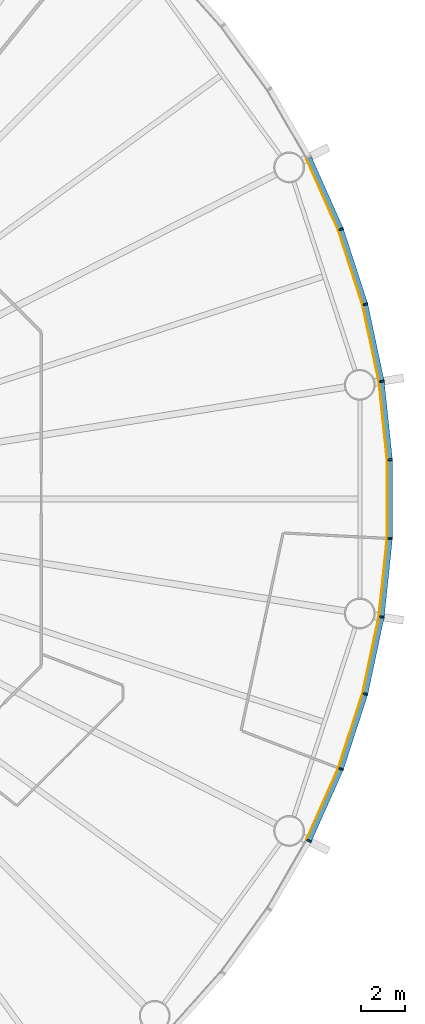
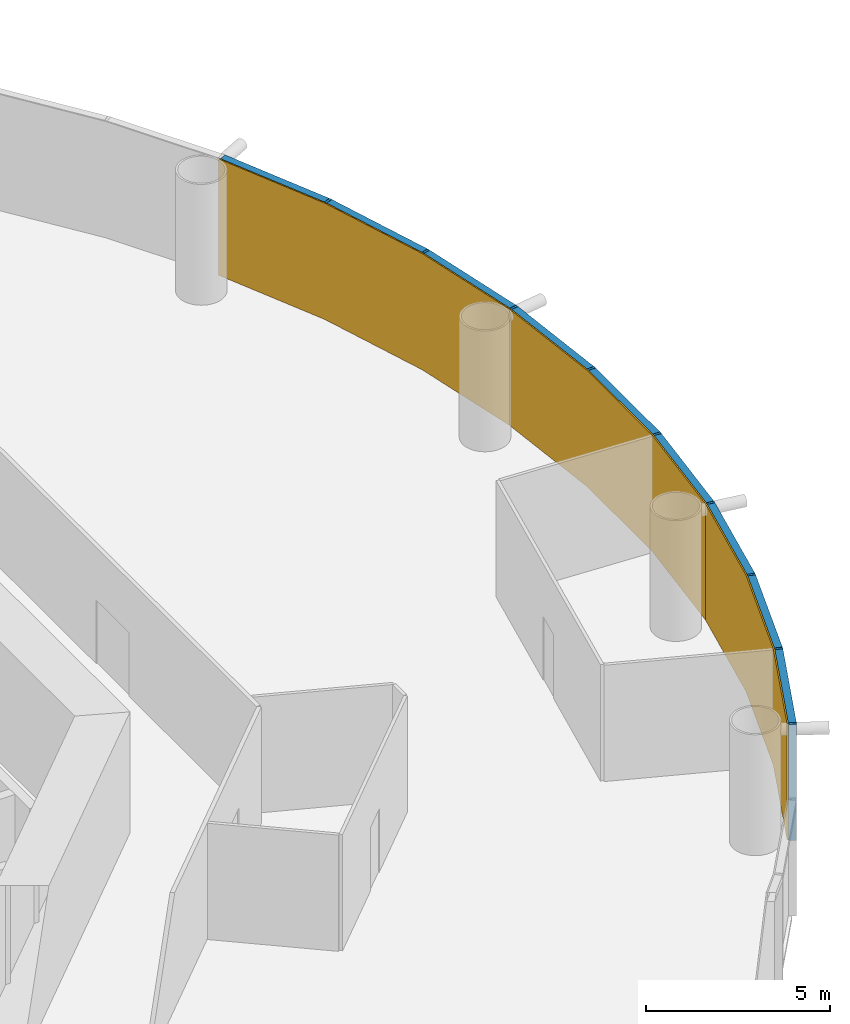
# One storey, part 11 of 13: 18 members, 3 curtain walls.
"""IFC4 building model written with IfcOpenShell, lengths in metres."""

import ifcopenshell
import ifcopenshell.guid

model = None  # the IFC model being written
_history = None  # IfcOwnerHistory: only IFC2X3 demands one
_inside = {}  # id of a spatial element -> (the spatial element, [elements in it])
_under = {}  # id of a project, library or spatial element -> (it, [spatial elements below it])
_declared = {}  # id of a project -> (the project, [libraries it declares])
_typed = {}  # id of a type object -> (the type object, [elements of that type])
_made_of = {}  # id of a material, layer set ... -> (it, [elements and type objects made of it])


def new_model(schema):
    """Start an empty IFC model of exactly this schema.

    Asked for "IFC4X3", IfcOpenShell would pick the latest addendum, in which some entities
    have other attributes; the version numbers below select the first issue.
    IFC2X3 requires an IfcOwnerHistory on every rooted entity: one is made here for all.
    """
    global model, _history
    if schema == "IFC4X3":
        model = ifcopenshell.file(schema_version=(4, 3, 0, 0))
    else:
        model = ifcopenshell.file(schema=schema)
    _inside.clear()
    _under.clear()
    _declared.clear()
    _typed.clear()
    _made_of.clear()
    _history = None
    if model.schema == "IFC2X3":
        org = make("IfcOrganization", Name="unknown")
        user = make(
            "IfcPersonAndOrganization",
            ThePerson=make("IfcPerson", FamilyName="unknown"),
            TheOrganization=org,
        )
        app = make(
            "IfcApplication",
            ApplicationDeveloper=org,
            Version="unknown",
            ApplicationFullName="unknown",
            ApplicationIdentifier="unknown",
        )
        _history = make(
            "IfcOwnerHistory",
            OwningUser=user,
            OwningApplication=app,
            ChangeAction="ADDED",
            CreationDate=0,
        )
    return model


def make(cls, **values):
    """One entity of the class cls with the attributes given. An attribute that is None is left unset."""
    return model.create_entity(
        cls, **{name: value for name, value in values.items() if value is not None}
    )


def rooted(cls, **values):
    """An entity with a GlobalId (a new one), such as an element, a storey or a relation."""
    return make(cls, GlobalId=ifcopenshell.guid.new(), OwnerHistory=_history, **values)


def si_unit(unit_type, name, prefix=None):
    """IfcSIUnit, for example si_unit("LENGTHUNIT", "METRE", prefix="MILLI")."""
    return make("IfcSIUnit", UnitType=unit_type, Prefix=prefix, Name=name)


def assignment(units):
    """IfcUnitAssignment: the units of a project."""
    return None if units is None else make("IfcUnitAssignment", Units=units)


def point(xyz):
    """IfcCartesianPoint."""
    return None if xyz is None else make("IfcCartesianPoint", Coordinates=xyz)


def direction(xyz):
    """IfcDirection."""
    return None if xyz is None else make("IfcDirection", DirectionRatios=xyz)


def frame(location, z_axis=None, x_axis=None):
    """IfcAxis2Placement3D, a coordinate frame: its origin and axes. An axis left out is left unset."""
    return make(
        "IfcAxis2Placement3D",
        Location=point(location),
        Axis=direction(z_axis),
        RefDirection=direction(x_axis),
    )


def frame_2d(location, x_axis=None):
    """IfcAxis2Placement2D, a coordinate frame in the plane: its origin and x axis."""
    return make(
        "IfcAxis2Placement2D", Location=point(location), RefDirection=direction(x_axis)
    )


def origin():
    """The frame at (0, 0, 0) with its axes left unset."""
    return frame((0.0, 0.0, 0.0))


def origin_2d():
    """The frame at (0, 0) in the plane with its x axis left unset."""
    return frame_2d((0.0, 0.0))


def place(relative_to, where):
    """IfcLocalPlacement: puts the frame where relative to a parent placement (None: the world)."""
    return make(
        "IfcLocalPlacement", PlacementRelTo=relative_to, RelativePlacement=where
    )


def context(
    kind, dimensions, precision=None, world=None, true_north=None, identifier=None
):
    """IfcGeometricRepresentationContext, for example the 3D "Model" context."""
    return make(
        "IfcGeometricRepresentationContext",
        ContextIdentifier=identifier,
        ContextType=kind,
        CoordinateSpaceDimension=dimensions,
        Precision=precision,
        WorldCoordinateSystem=world,
        TrueNorth=true_north,
    )


def subcontext(parent, identifier, kind, view, scale=None):
    """IfcGeometricRepresentationSubContext, for example "Body" below "Model"."""
    return make(
        "IfcGeometricRepresentationSubContext",
        ContextIdentifier=identifier,
        ContextType=kind,
        ParentContext=parent,
        TargetScale=scale,
        TargetView=view,
    )


def project(units=None, contexts=None):
    """IfcProject with its units and contexts."""
    return rooted(
        "IfcProject",
        Name="project",
        RepresentationContexts=contexts,
        UnitsInContext=assignment(units),
    )


def spatial(cls, under=None, at=None, **own):
    """A site, building, storey or space (cls), placed at a placement, below another one or the project."""
    s = rooted(cls, ObjectPlacement=at, **own)
    if under is not None:
        _under.setdefault(under.id(), (under, []))[1].append(s)
    return s


def polyline(points):
    """IfcPolyline through the points."""
    return make("IfcPolyline", Points=[point(p) for p in points])


def profile(cls, at=None, kind="AREA", **sizes):
    """A parametric profile (cls). Its sizes go by their IFC names, for example OverallWidth=200.0."""
    return make(cls, ProfileType=kind, Position=at, **sizes)


def rectangle(**sizes):
    """IfcRectangleProfileDef."""
    return profile("IfcRectangleProfileDef", **sizes)


def outline(outer, holes=None, kind="AREA"):
    """IfcArbitraryClosedProfileDef: a profile drawn as a closed curve; with holes, ...WithVoids."""
    if holes is None:
        return make("IfcArbitraryClosedProfileDef", ProfileType=kind, OuterCurve=outer)
    return make(
        "IfcArbitraryProfileDefWithVoids",
        ProfileType=kind,
        OuterCurve=outer,
        InnerCurves=holes,
    )


def extrude(swept, where, along, depth):
    """IfcExtrudedAreaSolid: the profile swept, set in the frame where, extruded along a direction by depth."""
    return make(
        "IfcExtrudedAreaSolid",
        SweptArea=swept,
        Position=where,
        ExtrudedDirection=direction(along),
        Depth=depth,
    )


def shape(context_of_items, identifier, shape_type, items):
    """IfcShapeRepresentation: the items that make up one representation, for example the "Body"."""
    return make(
        "IfcShapeRepresentation",
        ContextOfItems=context_of_items,
        RepresentationIdentifier=identifier,
        RepresentationType=shape_type,
        Items=items,
    )


def material(Name=None, Category=None):
    """IfcMaterial."""
    return make("IfcMaterial", Name=Name, Category=Category)


def layer(
    of_material, thickness, ventilated=None, Name=None, Category=None, Priority=None
):
    """IfcMaterialLayer: one layer of a wall or slab, of a material (None: an air gap)."""
    return make(
        "IfcMaterialLayer",
        Material=of_material,
        LayerThickness=thickness,
        IsVentilated=ventilated,
        Name=Name,
        Category=Category,
        Priority=Priority,
    )


def layer_set(layers, Name=None):
    """IfcMaterialLayerSet."""
    return make("IfcMaterialLayerSet", MaterialLayers=layers, LayerSetName=Name)


def material_profile(
    of_material, cross_section, Name=None, Category=None, Priority=None
):
    """IfcMaterialProfile: a cross section and its material."""
    return make(
        "IfcMaterialProfile",
        Name=Name,
        Material=of_material,
        Profile=cross_section,
        Priority=Priority,
        Category=Category,
    )


def profile_set(profiles, Name=None, composite=None):
    """IfcMaterialProfileSet."""
    return make(
        "IfcMaterialProfileSet",
        Name=Name,
        MaterialProfiles=profiles,
        CompositeProfile=composite,
    )


def made_of(thing, what):
    """Note that an element or type object is made of a material, layer set ...; save() writes the relation."""
    if what is not None:
        _made_of.setdefault(what.id(), (what, []))[1].append(thing)
    return thing


def type_object(cls, material=None, **own):
    """A type object (cls), such as IfcWallType, which elements share."""
    return made_of(rooted(cls, **own), material)


def element(
    cls,
    number,
    at=None,
    inside=None,
    cuts=None,
    type_object=None,
    material=None,
    context=None,
    identifier="Body",
    shape_type=None,
    held_by="IfcProductDefinitionShape",
    body=None,
    shapes=None,
    **own,
):
    """One element of the class cls, such as IfcWall. Its Tag is "e" and its number.

    at: its placement. inside: the storey or other place that contains it. cuts: it is an
    opening in that element (IfcRelVoidsElement). A single representation is given by context,
    identifier, shape_type and body (its items); several are given by shapes. held_by: the class
    of the entity that holds the representations. save() writes the other relations.
    """
    e = rooted(cls, Tag="e%d" % number, ObjectPlacement=at, **own)
    if body is not None:
        shapes = [shape(context, identifier, shape_type, body)]
    if shapes is not None:
        e.Representation = make(held_by, Representations=shapes)
    if inside is not None:
        _inside.setdefault(inside.id(), (inside, []))[1].append(e)
    if cuts is not None:
        rooted(
            "IfcRelVoidsElement", RelatingBuildingElement=cuts, RelatedOpeningElement=e
        )
    if type_object is not None:
        _typed.setdefault(type_object.id(), (type_object, []))[1].append(e)
    return made_of(e, material)


def aggregate(whole, parts):
    """IfcRelAggregates: a whole, such as a stair, and the parts it consists of."""
    return rooted("IfcRelAggregates", RelatingObject=whole, RelatedObjects=parts)


def save(model, path):
    """Write the relations noted so far, then the file.

    IfcRelAggregates (storeys below a building ...), IfcRelContainedInSpatialStructure (elements
    in a storey), IfcRelDefinesByType, IfcRelAssociatesMaterial and IfcRelDeclares: one each for
    every whole, place, type object, material and project.
    """
    for whole, parts in _under.values():
        aggregate(whole, parts)
    for where, things in _inside.values():
        rooted(
            "IfcRelContainedInSpatialStructure",
            RelatedElements=things,
            RelatingStructure=where,
        )
    for kind, things in _typed.values():
        rooted("IfcRelDefinesByType", RelatedObjects=things, RelatingType=kind)
    for what, things in _made_of.values():
        rooted("IfcRelAssociatesMaterial", RelatedObjects=things, RelatingMaterial=what)
    for by, libraries in _declared.values():
        rooted("IfcRelDeclares", RelatingContext=by, RelatedDefinitions=libraries)
    model.write(path)


model = new_model("IFC4")

# Units and contexts
model_context = context("Model", 3, precision=1e-05, world=origin(), true_north=direction((0.0, 1.0)))
body_context = subcontext(model_context, "Body", "Model", "MODEL_VIEW")
ifc_project = project(units=[si_unit("LENGTHUNIT", "METRE"), si_unit("AREAUNIT", "SQUARE_METRE"), si_unit("VOLUMEUNIT", "CUBIC_METRE"), si_unit("PLANEANGLEUNIT", "RADIAN"), si_unit("MASSUNIT", "GRAM", prefix="KILO")], contexts=[model_context])

# Member
ifc_material_1 = material(Name="Anodised aluminium", Category="aluminium")
ifc_material_profile_1 = material_profile(ifc_material_1, rectangle(XDim=0.074951171875, YDim=0.219970703125, at=origin_2d()), Name="Mullion 75 x 220 mm anodised aluminium")
ifc_profile_set_1 = profile_set([ifc_material_profile_1], Name="Anodised aluminium")
member_type_1 = type_object("IfcMemberType", Name="Mullion 75 x 220 mm anodised aluminium", PredefinedType="MULLION", material=ifc_profile_set_1)
site_placement = place(None, origin())
building_placement = place(site_placement, origin())
storey_placement = place(building_placement, frame((0.0, 0.0, 50.0)))
member_1_placement = place(storey_placement, frame((123.68994140625, 85.3359375, 0.0), z_axis=(0.0, 0.0, 1.0), x_axis=(-0.15643446504, 0.987688340595, 0.0)))
member_1 = element("IfcMember", 1, at=member_1_placement, type_object=member_type_1, Name="MULLION L10-00", PredefinedType="MULLION", context=body_context, shape_type="SweptSolid", body=[
    extrude(rectangle(XDim=0.074951171875, YDim=0.219970703125, at=origin_2d()), origin(), (0.0, 0.0, 1.0), 3.85009765625),
])

member_2_placement = place(storey_placement, frame((122.94775390625, 88.828369140625, 0.0), z_axis=(0.0, 0.0, 1.0), x_axis=(-0.258819045103, 0.965925826289, 0.0)))
member_2 = element("IfcMember", 2, at=member_2_placement, type_object=member_type_1, Name="MULLION L10-01", PredefinedType="MULLION", context=body_context, shape_type="SweptSolid", body=[
    extrude(rectangle(XDim=0.074951171875, YDim=0.219970703125, at=origin_2d()), origin(), (0.0, 0.0, 1.0), 3.85009765625),
])

member_3_placement = place(storey_placement, frame((121.844482421875, 92.223876953125, 0.0), z_axis=(0.0, 0.0, 1.0), x_axis=(-0.358367949545, 0.933580426497, 0.0)))
member_3 = element("IfcMember", 3, at=member_3_placement, type_object=member_type_1, Name="MULLION L10-02", PredefinedType="MULLION", context=body_context, shape_type="SweptSolid", body=[
    extrude(rectangle(XDim=0.074951171875, YDim=0.219970703125, at=origin_2d()), origin(), (0.0, 0.0, 1.0), 3.85009765625),
])

member_4_placement = place(storey_placement, frame((120.392333984375, 64.514404296875, 0.0), z_axis=(0.0, 0.0, 1.0), x_axis=(0.45399049974, 0.891006524188, 0.0)))
member_4 = element("IfcMember", 4, at=member_4_placement, type_object=member_type_1, Name="MULLION L10-54", PredefinedType="MULLION", context=body_context, shape_type="SweptSolid", body=[
    extrude(rectangle(XDim=0.074951171875, YDim=0.219970703125, at=origin_2d()), origin(), (0.0, 0.0, 1.0), 3.85009765625),
])

member_5_placement = place(storey_placement, frame((121.844482421875, 67.776123046875, 0.0), z_axis=(0.0, 0.0, 1.0), x_axis=(0.358367949545, 0.933580426497, 0.0)))
member_5 = element("IfcMember", 5, at=member_5_placement, type_object=member_type_1, Name="MULLION L10-55", PredefinedType="MULLION", context=body_context, shape_type="SweptSolid", body=[
    extrude(rectangle(XDim=0.074951171875, YDim=0.219970703125, at=origin_2d()), origin(), (0.0, 0.0, 1.0), 3.85009765625),
])

member_6_placement = place(storey_placement, frame((122.94775390625, 71.171630859375, 0.0), z_axis=(0.0, 0.0, 1.0), x_axis=(0.258819045103, 0.965925826289, 0.0)))
member_6 = element("IfcMember", 6, at=member_6_placement, type_object=member_type_1, Name="MULLION L10-56", PredefinedType="MULLION", context=body_context, shape_type="SweptSolid", body=[
    extrude(rectangle(XDim=0.074951171875, YDim=0.219970703125, at=origin_2d()), origin(), (0.0, 0.0, 1.0), 3.85009765625),
])

member_7_placement = place(storey_placement, frame((123.68994140625, 74.6640625, 0.0), z_axis=(0.0, 0.0, 1.0), x_axis=(0.15643446504, 0.987688340595, 0.0)))
member_7 = element("IfcMember", 7, at=member_7_placement, type_object=member_type_1, Name="MULLION L10-57", PredefinedType="MULLION", context=body_context, shape_type="SweptSolid", body=[
    extrude(rectangle(XDim=0.074951171875, YDim=0.219970703125, at=origin_2d()), origin(), (0.0, 0.0, 1.0), 3.85009765625),
])

member_8_placement = place(storey_placement, frame((124.063232421875, 78.21484375, 0.0), z_axis=(0.0, 0.0, 1.0), x_axis=(0.052335956243, 0.998629534755, 0.0)))
member_8 = element("IfcMember", 8, at=member_8_placement, type_object=member_type_1, Name="MULLION L10-58", PredefinedType="MULLION", context=body_context, shape_type="SweptSolid", body=[
    extrude(rectangle(XDim=0.074951171875, YDim=0.219970703125, at=origin_2d()), origin(), (0.0, 0.0, 1.0), 3.85009765625),
])

member_9_placement = place(storey_placement, frame((124.063232421875, 81.78515625, 0.0), z_axis=(0.0, 0.0, 1.0), x_axis=(-0.052335956243, 0.998629534755, 0.0)))
member_9 = element("IfcMember", 9, at=member_9_placement, type_object=member_type_1, Name="MULLION L10-59", PredefinedType="MULLION", context=body_context, shape_type="SweptSolid", body=[
    extrude(rectangle(XDim=0.074951171875, YDim=0.219970703125, at=origin_2d()), origin(), (0.0, 0.0, 1.0), 3.85009765625),
])

ifc_material_2 = material(Name="Anodised aluminium", Category="aluminium")
ifc_material_profile_2 = material_profile(ifc_material_2, rectangle(XDim=0.219970703125, YDim=0.199951171875, at=origin_2d()), Name="Transom 200 x 220 mm anodised aluminium")
ifc_profile_set_2 = profile_set([ifc_material_profile_2], Name="Anodised aluminium")
member_type_2 = type_object("IfcMemberType", Name="Transom 200 x 220 mm anodised aluminium", PredefinedType="USERDEFINED", material=ifc_profile_set_2)
member_10_placement = place(storey_placement, frame((123.68115234375, 85.37841796875, 3.75), z_axis=(-0.207920776701, 0.978145669426, 0.0), x_axis=(-0.978145669426, -0.207920776701, 0.0)))
member_10 = element("IfcMember", 10, at=member_10_placement, type_object=member_type_2, Name="TRANSOM L10-00", ObjectType="TRANSOM", PredefinedType="USERDEFINED", context=body_context, shape_type="SweptSolid", body=[
    extrude(rectangle(XDim=0.219970703125, YDim=0.199951171875, at=origin_2d()), origin(), (0.0, 0.0, 1.0), 3.48388671875),
])

member_11_placement = place(storey_placement, frame((122.9345703125, 88.869384765625, 3.75), z_axis=(-0.309029029702, 0.951052605696, 0.0), x_axis=(-0.951052605696, -0.309029029702, 0.0)))
member_11 = element("IfcMember", 11, at=member_11_placement, type_object=member_type_2, Name="TRANSOM L10-01", ObjectType="TRANSOM", PredefinedType="USERDEFINED", context=body_context, shape_type="SweptSolid", body=[
    extrude(rectangle(XDim=0.219970703125, YDim=0.199951171875, at=origin_2d()), origin(), (0.0, 0.0, 1.0), 3.484130859375),
])

member_12_placement = place(storey_placement, frame((121.826904296875, 92.263427734375, 3.75), z_axis=(-0.406736576304, 0.913545487371, 0.0), x_axis=(-0.913545487371, -0.406736576304, 0.0)))
member_12 = element("IfcMember", 12, at=member_12_placement, type_object=member_type_2, Name="TRANSOM L10-02", ObjectType="TRANSOM", PredefinedType="USERDEFINED", context=body_context, shape_type="SweptSolid", body=[
    extrude(rectangle(XDim=0.219970703125, YDim=0.199951171875, at=origin_2d()), origin(), (0.0, 0.0, 1.0), 3.48388671875),
])

member_13_placement = place(storey_placement, frame((120.409912109375, 64.553955078125, 3.75), z_axis=(0.406736576304, 0.913545487371, 0.0), x_axis=(-0.913545487371, 0.406736576304, 0.0)))
member_13 = element("IfcMember", 13, at=member_13_placement, type_object=member_type_2, Name="TRANSOM L10-54", ObjectType="TRANSOM", PredefinedType="USERDEFINED", context=body_context, shape_type="SweptSolid", body=[
    extrude(rectangle(XDim=0.219970703125, YDim=0.199951171875, at=origin_2d()), origin(), (0.0, 0.0, 1.0), 3.48388671875),
])

member_14_placement = place(storey_placement, frame((121.85791015625, 67.817138671875, 3.75), z_axis=(0.309029029702, 0.951052605696, 0.0), x_axis=(-0.951052605696, 0.309029029702, 0.0)))
member_14 = element("IfcMember", 14, at=member_14_placement, type_object=member_type_2, Name="TRANSOM L10-55", ObjectType="TRANSOM", PredefinedType="USERDEFINED", context=body_context, shape_type="SweptSolid", body=[
    extrude(rectangle(XDim=0.219970703125, YDim=0.199951171875, at=origin_2d()), origin(), (0.0, 0.0, 1.0), 3.484130859375),
])

member_15_placement = place(storey_placement, frame((122.956787109375, 71.2138671875, 3.75), z_axis=(0.207920776701, 0.978145669426, 0.0), x_axis=(-0.978145669426, 0.207920776701, 0.0)))
member_15 = element("IfcMember", 15, at=member_15_placement, type_object=member_type_2, Name="TRANSOM L10-56", ObjectType="TRANSOM", PredefinedType="USERDEFINED", context=body_context, shape_type="SweptSolid", body=[
    extrude(rectangle(XDim=0.219970703125, YDim=0.199951171875, at=origin_2d()), origin(), (0.0, 0.0, 1.0), 3.48388671875),
])

member_16_placement = place(storey_placement, frame((123.69482421875, 74.70703125, 3.75), z_axis=(0.104484152234, 0.994526551648, 0.0), x_axis=(-0.994526551648, 0.104484152234, 0.0)))
member_16 = element("IfcMember", 16, at=member_16_placement, type_object=member_type_2, Name="TRANSOM L10-57", ObjectType="TRANSOM", PredefinedType="USERDEFINED", context=body_context, shape_type="SweptSolid", body=[
    extrude(rectangle(XDim=0.219970703125, YDim=0.199951171875, at=origin_2d()), origin(), (0.0, 0.0, 1.0), 3.48388671875),
])

member_17_placement = place(storey_placement, frame((124.0634765625, 78.258056640625, 3.75), z_axis=(0.0, 1.0, 0.0), x_axis=(-1.0, 0.0, 0.0)))
member_17 = element("IfcMember", 17, at=member_17_placement, type_object=member_type_2, Name="TRANSOM L10-58", ObjectType="TRANSOM", PredefinedType="USERDEFINED", context=body_context, shape_type="SweptSolid", body=[
    extrude(rectangle(XDim=0.219970703125, YDim=0.199951171875, at=origin_2d()), origin(), (0.0, 0.0, 1.0), 3.48388671875),
])

member_18_placement = place(storey_placement, frame((124.058837890625, 81.828125, 3.75), z_axis=(-0.104484152234, 0.994526551648, 0.0), x_axis=(-0.994526551648, -0.104484152234, 0.0)))
member_18 = element("IfcMember", 18, at=member_18_placement, type_object=member_type_2, Name="TRANSOM L10-59", ObjectType="TRANSOM", PredefinedType="USERDEFINED", context=body_context, shape_type="SweptSolid", body=[
    extrude(rectangle(XDim=0.219970703125, YDim=0.199951171875, at=origin_2d()), origin(), (0.0, 0.0, 1.0), 3.48388671875),
])

# Site, building, storey
site = spatial("IfcSite", under=ifc_project, at=site_placement, CompositionType="ELEMENT")
building = spatial("IfcBuilding", under=site, at=building_placement, Name="Entoto Ring Tower", CompositionType="ELEMENT")
storey = spatial("IfcBuildingStorey", under=building, at=storey_placement, Name="L10", CompositionType="ELEMENT", Elevation=50.0)

# Curtain wall
ifc_material_3 = material(Name="Clear low-iron glass", Category="glass")
ifc_layer = layer(ifc_material_3, 0.0400390625)
ifc_layer_set = layer_set([ifc_layer], Name="Clear low-iron glass")
curtain_wall_type = type_object("IfcCurtainWallType", Name="Curtain wall system CW1 glazing 40 mm", PredefinedType="NOTDEFINED", material=ifc_layer_set)
curtain_wall_1_placement = place(storey_placement, origin())
curtain_wall_1 = element("IfcCurtainWall", 19, at=curtain_wall_1_placement, inside=storey, type_object=curtain_wall_type, Name="CW1 L10-01", PredefinedType="NOTDEFINED", context=body_context, shape_type="SweptSolid", body=[
    extrude(outline(polyline([(123.581298828125, 85.31884765625), (122.841552734375, 88.7998046875), (121.74169921875, 92.1845703125), (120.294189453125, 95.435791015625), (120.258544921875, 95.41748046875), (121.704345703125, 92.170166015625), (122.802734375, 88.78955078125), (123.541748046875, 85.3125), (123.581298828125, 85.31884765625)])), origin(), (0.0, 0.0, 1.0), 3.85009765625),
])

aggregate(curtain_wall_1, [member_1, member_2, member_3, member_10, member_11, member_12])

curtain_wall_2_placement = place(storey_placement, origin())
curtain_wall_2 = element("IfcCurtainWall", 20, at=curtain_wall_2_placement, inside=storey, type_object=curtain_wall_type, Name="CW1 L10-19", PredefinedType="NOTDEFINED", context=body_context, shape_type="SweptSolid", body=[
    extrude(outline(polyline([(120.294189453125, 64.564208984375), (121.74169921875, 67.8154296875), (122.841552734375, 71.2001953125), (123.581298828125, 74.68115234375), (123.541748046875, 74.6875), (122.802734375, 71.21044921875), (121.704345703125, 67.829833984375), (120.258544921875, 64.58251953125), (120.294189453125, 64.564208984375)])), origin(), (0.0, 0.0, 1.0), 3.85009765625),
])

aggregate(curtain_wall_2, [member_4, member_5, member_6, member_13, member_14, member_15])

curtain_wall_3_placement = place(storey_placement, origin())
curtain_wall_3 = element("IfcCurtainWall", 21, at=curtain_wall_3_placement, inside=storey, type_object=curtain_wall_type, Name="CW1 L10-20", PredefinedType="NOTDEFINED", context=body_context, shape_type="SweptSolid", body=[
    extrude(outline(polyline([(123.581298828125, 74.68115234375), (123.953369140625, 78.220458984375), (123.953369140625, 81.779541015625), (123.581298828125, 85.31884765625), (123.541748046875, 85.3125), (123.913330078125, 81.77734375), (123.913330078125, 78.22265625), (123.541748046875, 74.6875), (123.581298828125, 74.68115234375)])), origin(), (0.0, 0.0, 1.0), 3.85009765625),
])

aggregate(curtain_wall_3, [member_7, member_8, member_9, member_16, member_17, member_18])

save(model, "model.ifc")
